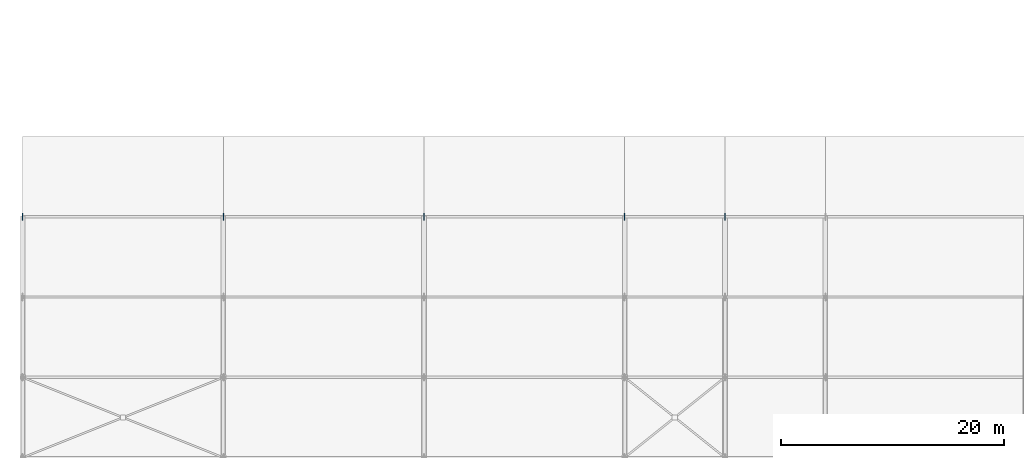
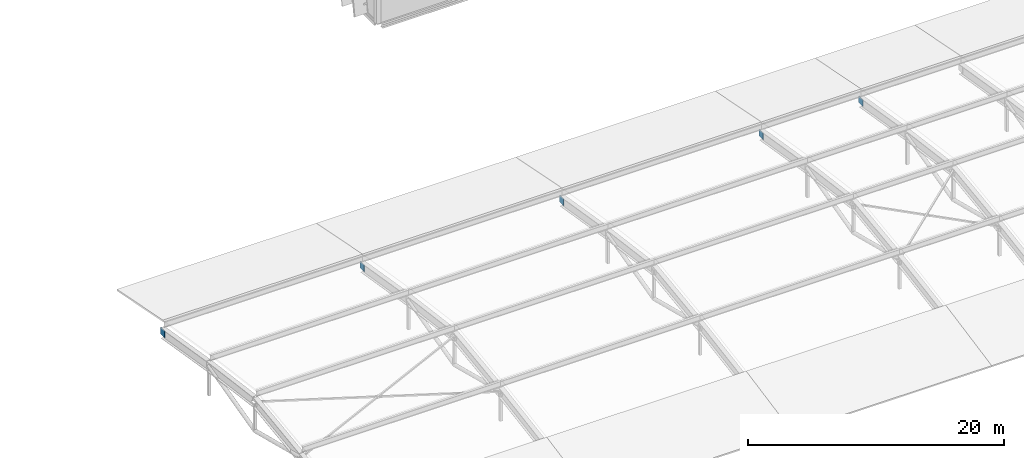
# One storey, part 59 of 78: 5 plates.
"""IFC4 building model written with IfcOpenShell, lengths in metres."""

from ifc_helpers import new_model, si_unit, direction, frame, origin, origin_2d, place, context, subcontext, project, spatial, rectangle, extrude, material, layer, layer_set, type_object, element, save


model = new_model("IFC4")

# Units and contexts
model_context = context("Model", 3, precision=1e-05, world=origin(), true_north=direction((0.0, 1.0)))
body_context = subcontext(model_context, "Body", "Model", "MODEL_VIEW")
ifc_project = project(units=[si_unit("LENGTHUNIT", "METRE"), si_unit("AREAUNIT", "SQUARE_METRE"), si_unit("VOLUMEUNIT", "CUBIC_METRE"), si_unit("PLANEANGLEUNIT", "RADIAN"), si_unit("MASSUNIT", "GRAM", prefix="KILO")], contexts=[model_context])

# Site, building, storey
site_placement = place(None, origin())
site = spatial("IfcSite", under=ifc_project, at=site_placement, CompositionType="ELEMENT")
building_placement = place(site_placement, origin())
building = spatial("IfcBuilding", under=site, at=building_placement, Name="Celestram Park Convention Centre", CompositionType="ELEMENT")
storey_placement = place(building_placement, frame((0.0, 0.0, 19.800048828125)))
storey = spatial("IfcBuildingStorey", under=building, at=storey_placement, Name="L04", CompositionType="ELEMENT", Elevation=19.800048828125)

# Plates
ifc_material = material(Name="Steel ASTM A572 Grade 50", Category="steel")
ifc_layer = layer(ifc_material, 0.050048828125)
ifc_layer_set = layer_set([ifc_layer], Name="Steel ASTM A572 Grade 50")
plate_type = type_object("IfcPlateType", Name="STR-PLT-GP50", PredefinedType="USERDEFINED", material=ifc_layer_set)
for number, where, z_axis, x_axis, name in (
    (1, (0.0, 79.199951171875, 0.15673828125), (0.0, 0.0, 1.0), (0.0, 1.0, 0.0), "V1 truss node gusset plate"),
    (2, (18.0, 79.199951171875, 0.15673828125), (0.0, 0.0, 1.0), (0.0, 1.0, 0.0), "V1 truss node gusset plate"),
    (3, (36.0, 79.199951171875, 0.15673828125), (0.0, 0.0, 1.0), (0.0, 1.0, 0.0), "V1 truss node gusset plate"),
    (4, (54.0, 79.199951171875, 0.15673828125), (0.0, 0.0, 1.0), (0.0, 1.0, 0.0), "V1 truss node gusset plate"),
    (5, (63.0, 79.199951171875, 0.15673828125), (0.0, 0.0, 1.0), (0.0, 1.0, 0.0), "V1 truss node gusset plate"),
):
    element("IfcPlate", number, at=place(storey_placement, frame(where, z_axis=z_axis, x_axis=x_axis)), inside=storey, type_object=plate_type, Name=name, ObjectType="GUSSET_PLATE", PredefinedType="USERDEFINED", context=body_context, shape_type="SweptSolid", body=[
        extrude(rectangle(XDim=0.64990234375, YDim=0.050048828125, at=origin_2d()), origin(), (0.0, 0.0, 1.0), 0.64990234375),
    ])

save(model, "model.ifc")
